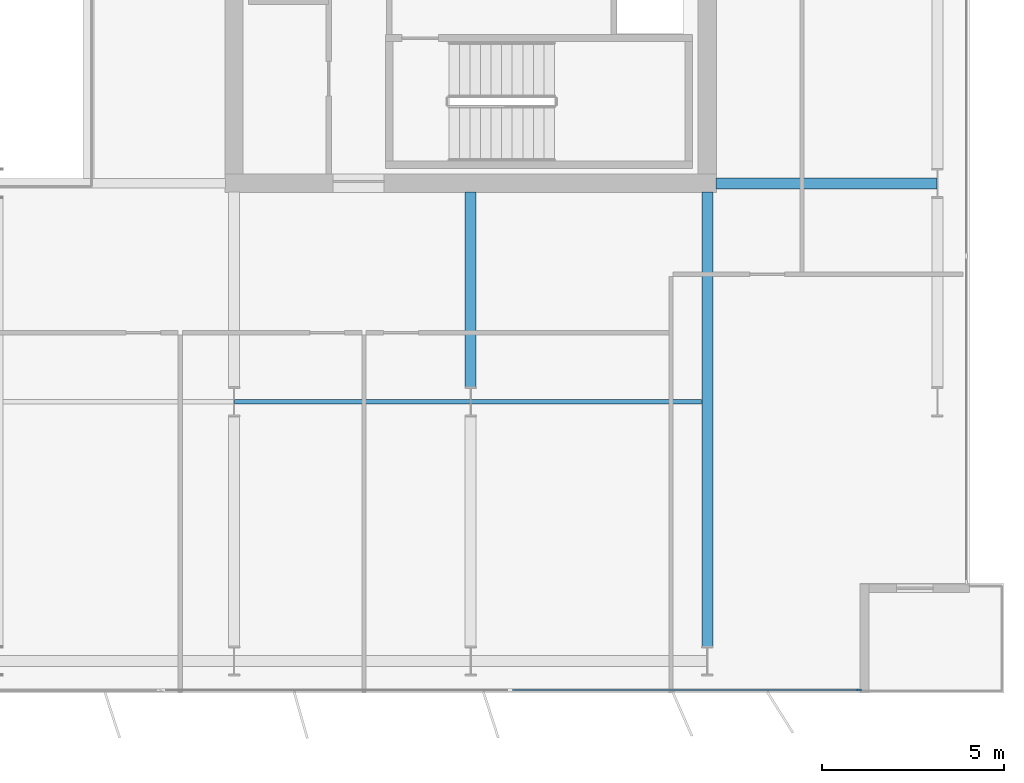
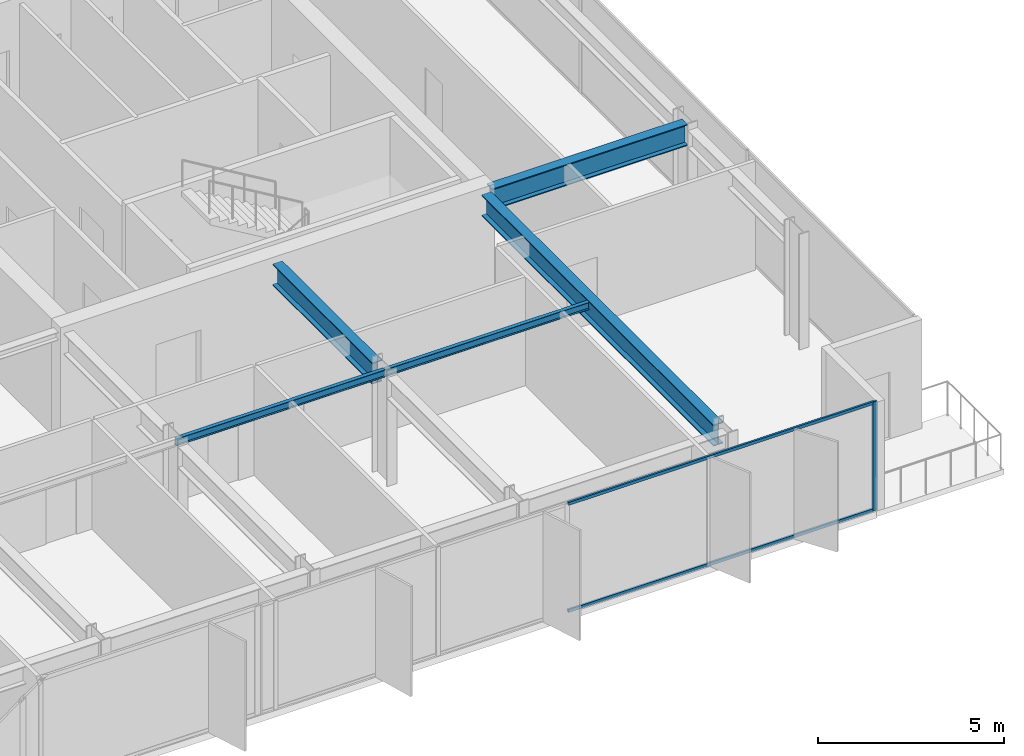
# One storey, part 8 of 24: 5 beams, 3 members, 1 element without a shape of its own.
"""IFC4 building model written with IfcOpenShell, lengths in metres."""

from ifc_helpers import new_model, si_unit, direction, frame, origin, origin_2d, place, context, subcontext, project, spatial, rectangle, i_section, extrude, material, layer, layer_set, material_profile, profile_set, type_object, element, aggregate, save


model = new_model("IFC4")

# Units and contexts
model_context = context("Model", 3, precision=1e-05, world=origin(), true_north=direction((0.0, 1.0)))
body_context = subcontext(model_context, "Body", "Model", "MODEL_VIEW")
ifc_project = project(units=[si_unit("LENGTHUNIT", "METRE"), si_unit("AREAUNIT", "SQUARE_METRE"), si_unit("VOLUMEUNIT", "CUBIC_METRE"), si_unit("PLANEANGLEUNIT", "RADIAN"), si_unit("MASSUNIT", "GRAM", prefix="KILO")], contexts=[model_context])

# Site, building, storey
site_placement = place(None, origin())
site = spatial("IfcSite", under=ifc_project, at=site_placement, CompositionType="ELEMENT")
building_placement = place(site_placement, origin())
building = spatial("IfcBuilding", under=site, at=building_placement, Name="Putna Gate Headquarters", CompositionType="ELEMENT")
storey_placement = place(building_placement, frame((0.0, 0.0, 248.0)))
storey = spatial("IfcBuildingStorey", under=building, at=storey_placement, Name="L62", CompositionType="ELEMENT", Elevation=248.0)

# Beams
ifc_material_1 = material(Name="Steel S355J2", Category="steel")
ifc_material_profile_1 = material_profile(ifc_material_1, i_section(OverallWidth=0.300048828125, OverallDepth=0.699951171875, WebThickness=0.01708984375, FlangeThickness=0.031982421875, at=origin_2d()), Name="Steel S355J2")
ifc_profile_set_1 = profile_set([ifc_material_profile_1], Name="Steel S355J2")
beam_type_1 = type_object("IfcBeamType", Name="BM-GIRD-B-HEB700", PredefinedType="USERDEFINED", material=ifc_profile_set_1)
beam_1_placement = place(storey_placement, frame((65.235107421875, 19.0, 3.22998046875), z_axis=(1.0, 0.0, 0.0), x_axis=(0.0, 1.0, 0.0)))
element("IfcBeam", 1, at=beam_1_placement, inside=storey, type_object=beam_type_1, Name="L62 East Wing Girder Y19", ObjectType="GIRDER", PredefinedType="USERDEFINED", context=body_context, shape_type="SweptSolid", body=[
    extrude(i_section(OverallWidth=0.300048828125, OverallDepth=0.699951171875, WebThickness=0.01708984375, FlangeThickness=0.031982421875, at=origin_2d()), origin(), (0.0, 0.0, 1.0), 6.078857421875),
])
beam_2_placement = place(storey_placement, frame((58.5, 13.39501953125, 3.22998046875), z_axis=(0.0, 1.0, 0.0), x_axis=(-1.0, 0.0, 0.0)))
element("IfcBeam", 2, at=beam_2_placement, inside=storey, type_object=beam_type_1, Name="L62 South Primary Girder X58-2", ObjectType="GIRDER", PredefinedType="USERDEFINED", context=body_context, shape_type="SweptSolid", body=[
    extrude(i_section(OverallWidth=0.300048828125, OverallDepth=0.699951171875, WebThickness=0.01708984375, FlangeThickness=0.031982421875, at=origin_2d()), origin(), (0.0, 0.0, 1.0), 5.369873046875),
])
beam_3_placement = place(storey_placement, frame((65.0, 6.27490234375, 3.22998046875), z_axis=(0.0, 1.0, 0.0), x_axis=(-1.0, 0.0, 0.0)))
element("IfcBeam", 3, at=beam_3_placement, inside=storey, type_object=beam_type_1, Name="L62 South Primary Girder X65", ObjectType="GIRDER", PredefinedType="USERDEFINED", context=body_context, shape_type="SweptSolid", body=[
    extrude(i_section(OverallWidth=0.300048828125, OverallDepth=0.699951171875, WebThickness=0.01708984375, FlangeThickness=0.031982421875, at=origin_2d()), origin(), (0.0, 0.0, 1.0), 12.489990234375),
])
ifc_material_profile_2 = material_profile(ifc_material_1, i_section(OverallWidth=0.1201171875, OverallDepth=0.239990234375, WebThickness=0.006103515625, FlangeThickness=0.009765625, at=origin_2d()), Name="Steel S355J2")
ifc_profile_set_2 = profile_set([ifc_material_profile_2], Name="Steel S355J2")
beam_type_2 = type_object("IfcBeamType", Name="BM-SEC-Z4-IPE240", PredefinedType="JOIST", material=ifc_profile_set_2)
beam_4_placement = place(storey_placement, frame((52.006103515625, 13.0, 3.4599609375), z_axis=(1.0, 0.0, 0.0), x_axis=(0.0, 1.0, 0.0)))
element("IfcBeam", 4, at=beam_4_placement, inside=storey, type_object=beam_type_2, Name="L62 South Secondary Beam 7", PredefinedType="JOIST", context=body_context, shape_type="SweptSolid", body=[
    extrude(i_section(OverallWidth=0.1201171875, OverallDepth=0.239990234375, WebThickness=0.006103515625, FlangeThickness=0.009765625, at=origin_2d()), origin(), (0.0, 0.0, 1.0), 6.48779296875),
])
beam_5_placement = place(storey_placement, frame((58.506103515625, 13.0, 3.4599609375), z_axis=(1.0, 0.0, 0.0), x_axis=(0.0, 1.0, 0.0)))
element("IfcBeam", 5, at=beam_5_placement, inside=storey, type_object=beam_type_2, Name="L62 South Secondary Beam 8", PredefinedType="JOIST", context=body_context, shape_type="SweptSolid", body=[
    extrude(i_section(OverallWidth=0.1201171875, OverallDepth=0.239990234375, WebThickness=0.006103515625, FlangeThickness=0.009765625, at=origin_2d()), origin(), (0.0, 0.0, 1.0), 6.33984375),
])

# Curtain wall, members
ifc_material_2 = material(Name="Anodised bronze aluminium curtain wall", Category="aluminium")
ifc_layer = layer(ifc_material_2, 0.139892578125)
ifc_layer_set = layer_set([ifc_layer], Name="Anodised bronze aluminium curtain wall")
curtain_wall_type = type_object("IfcCurtainWallType", Name="CW-SYS-Z4", PredefinedType="USERDEFINED", material=ifc_layer_set)
curtain_wall_placement = place(storey_placement, origin())
curtain_wall = element("IfcCurtainWall", 6, at=curtain_wall_placement, inside=storey, type_object=curtain_wall_type, Name="L62 South East Curtain Wall", ObjectType="STICK CURTAIN WALL", PredefinedType="USERDEFINED")
ifc_material_3 = material(Name="Anodised bronze aluminium EN AW-6060", Category="aluminium")
ifc_material_profile_3 = material_profile(ifc_material_3, rectangle(XDim=0.06005859375, YDim=0.139892578125, at=origin_2d()), Name="Anodised bronze aluminium EN AW-6060")
ifc_profile_set_3 = profile_set([ifc_material_profile_3], Name="Anodised bronze aluminium EN AW-6060")
member_type_1 = type_object("IfcMemberType", Name="MULL-CWM-4", PredefinedType="MULLION", material=ifc_profile_set_3)
member_1_placement = place(storey_placement, frame((69.169921875, 5.080078125, 0.0), z_axis=(0.0, 0.0, 1.0), x_axis=(0.0, 1.0, 0.0)))
member_1 = element("IfcMember", 7, at=member_1_placement, type_object=member_type_1, Name="CWS-4 mullion 3", PredefinedType="MULLION", context=body_context, shape_type="SweptSolid", body=[
    extrude(rectangle(XDim=0.06005859375, YDim=0.139892578125, at=origin_2d()), origin(), (0.0, 0.0, 1.0), 3.580078125),
])
ifc_material_profile_4 = material_profile(ifc_material_3, rectangle(XDim=0.06005859375, YDim=0.10009765625, at=origin_2d()), Name="Anodised bronze aluminium EN AW-6060")
ifc_profile_set_4 = profile_set([ifc_material_profile_4], Name="Anodised bronze aluminium EN AW-6060")
member_type_2 = type_object("IfcMemberType", Name="TRAN-CWT-4", PredefinedType="USERDEFINED", material=ifc_profile_set_4)
member_2_placement = place(storey_placement, frame((59.6298828125, 5.080078125, 0.030029296875), z_axis=(1.0, 0.0, 0.0), x_axis=(0.0, 1.0, 0.0)))
member_2 = element("IfcMember", 8, at=member_2_placement, type_object=member_type_2, Name="CWS-4 transom 2.1", ObjectType="TRANSOM", PredefinedType="USERDEFINED", context=body_context, shape_type="SweptSolid", body=[
    extrude(rectangle(XDim=0.06005859375, YDim=0.10009765625, at=origin_2d()), origin(), (0.0, 0.0, 1.0), 9.510009765625),
])
member_3_placement = place(storey_placement, frame((59.6298828125, 5.080078125, 3.550048828125), z_axis=(1.0, 0.0, 0.0), x_axis=(0.0, 1.0, 0.0)))
member_3 = element("IfcMember", 9, at=member_3_placement, type_object=member_type_2, Name="CWS-4 transom 2.2", ObjectType="TRANSOM", PredefinedType="USERDEFINED", context=body_context, shape_type="SweptSolid", body=[
    extrude(rectangle(XDim=0.06005859375, YDim=0.10009765625, at=origin_2d()), origin(), (0.0, 0.0, 1.0), 9.510009765625),
])
aggregate(curtain_wall, [member_1, member_2, member_3])

save(model, "model.ifc")
